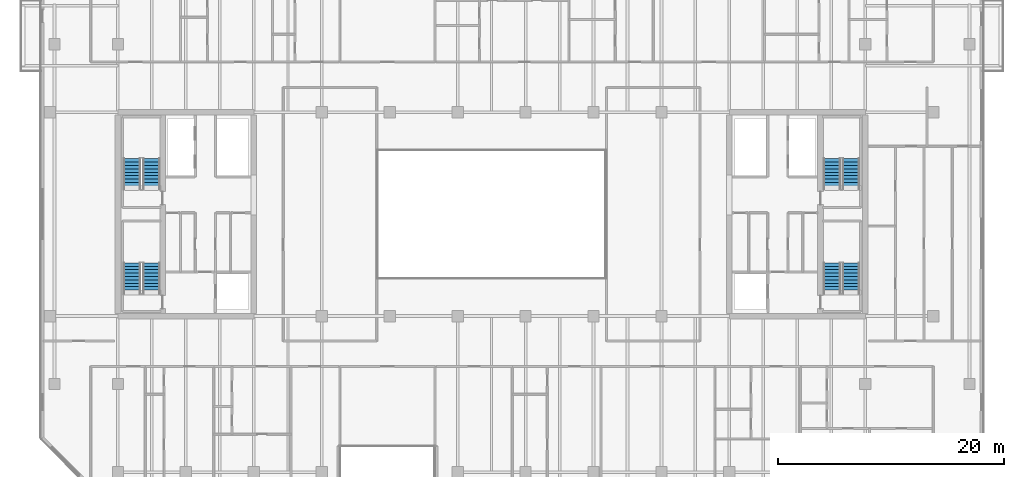
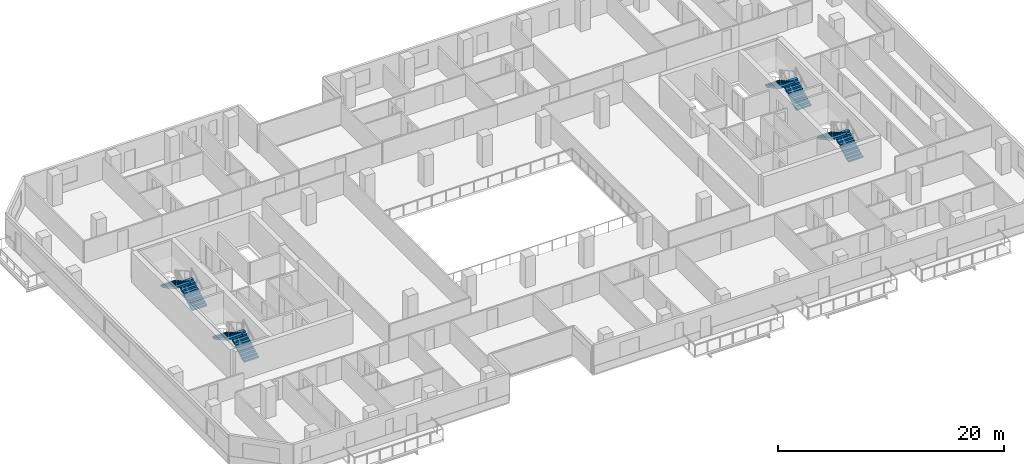
# One storey, part 17 of 23: 8 stair flights, 4 elements without a shape of their own.
"""IFC4 building model written with IfcOpenShell, lengths in metres."""

from ifc_helpers import new_model, si_unit, direction, frame, origin, place, context, subcontext, project, spatial, polyline, outline, extrude, material, type_object, element, aggregate, save


model = new_model("IFC4")

# Units and contexts
model_context = context("Model", 3, precision=1e-05, world=origin(), true_north=direction((0.0, 1.0)))
body_context = subcontext(model_context, "Body", "Model", "MODEL_VIEW")
ifc_project = project(units=[si_unit("LENGTHUNIT", "METRE"), si_unit("AREAUNIT", "SQUARE_METRE"), si_unit("VOLUMEUNIT", "CUBIC_METRE"), si_unit("PLANEANGLEUNIT", "RADIAN"), si_unit("MASSUNIT", "GRAM", prefix="KILO")], contexts=[model_context])

# Site, building, storey
site_placement = place(None, origin())
site = spatial("IfcSite", under=ifc_project, at=site_placement, CompositionType="ELEMENT")
building_placement = place(site_placement, origin())
building = spatial("IfcBuilding", under=site, at=building_placement, Name="Tanjung Sevakor Pilgrim Tower", CompositionType="ELEMENT")
storey_placement = place(building_placement, frame((0.0, 0.0, 85.469970703125)))
storey = spatial("IfcBuildingStorey", under=building, at=storey_placement, Name="L23", CompositionType="ELEMENT", Elevation=85.469970703125)

# Stair, stair flights
ifc_material_1 = material(Name="Concrete C40/50", Category="concrete")
stair_type = type_object("IfcStairType", Name="STAIR-ST-CR150", PredefinedType="HALF_TURN_STAIR", material=ifc_material_1)
stair_1_placement = place(storey_placement, origin())
stair_1 = element("IfcStair", 1, at=stair_1_placement, inside=storey, type_object=stair_type, Name="L23 West Core Exit Stair 1", PredefinedType="HALF_TURN_STAIR")
ifc_material_2 = material(Name="Concrete C40/50", Category="concrete")
stair_flight_type = type_object("IfcStairFlightType", Name="FLIGHT-ST-CR150", PredefinedType="STRAIGHT", material=ifc_material_2)
stair_flight_1_placement = place(storey_placement, frame((26.949951171875, 26.60009765625, 0.0), z_axis=(0.0, 0.0, 1.0), x_axis=(0.0, 1.0, 0.0)))
stair_flight_1 = element("IfcStairFlight", 2, at=stair_flight_1_placement, type_object=stair_flight_type, Name="TS-W1 flight 1", NumberOfRisers=10, NumberOfTreads=9, PredefinedType="STRAIGHT", RiserHeight=0.165, TreadLength=0.3, context=body_context, shape_type="SweptSolid", body=[
    extrude(outline(polyline([(0.0, 0.0), (0.0, 0.1650390625), (0.300048828125, 0.1650390625), (0.300048828125, 0.330078125), (0.60009765625, 0.330078125), (0.60009765625, 0.4951171875), (0.89990234375, 0.4951171875), (0.89990234375, 0.659912109375), (1.199951171875, 0.659912109375), (1.199951171875, 0.824951171875), (1.5, 0.824951171875), (1.5, 0.989990234375), (1.800048828125, 0.989990234375), (1.800048828125, 1.155029296875), (2.10009765625, 1.155029296875), (2.10009765625, 1.320068359375), (2.39990234375, 1.320068359375), (2.39990234375, 1.485107421875), (2.699951171875, 1.485107421875), (2.699951171875, 1.64990234375), (2.699951171875, 1.302490234375), (0.331787109375, 0.0), (0.0, 0.0)])), frame((0.0, 0.75, 0.0), z_axis=(0.0, -1.0, 0.0), x_axis=(1.0, 0.0, 0.0)), (0.0, 0.0, 1.0), 1.5),
])
stair_flight_2_placement = place(storey_placement, frame((25.25, 29.300048828125, 1.650146484375), z_axis=(0.0, 0.0, 1.0), x_axis=(0.0, -1.0, 0.0)))
stair_flight_2 = element("IfcStairFlight", 3, at=stair_flight_2_placement, type_object=stair_flight_type, Name="TS-W1 flight 2", NumberOfRisers=10, NumberOfTreads=9, PredefinedType="STRAIGHT", RiserHeight=0.165, TreadLength=0.3, context=body_context, shape_type="SweptSolid", body=[
    extrude(outline(polyline([(0.0, 0.0), (0.0, 0.1650390625), (0.300048828125, 0.1650390625), (0.300048828125, 0.330078125), (0.60009765625, 0.330078125), (0.60009765625, 0.4951171875), (0.89990234375, 0.4951171875), (0.89990234375, 0.659912109375), (1.199951171875, 0.659912109375), (1.199951171875, 0.824951171875), (1.5, 0.824951171875), (1.5, 0.989990234375), (1.800048828125, 0.989990234375), (1.800048828125, 1.155029296875), (2.10009765625, 1.155029296875), (2.10009765625, 1.320068359375), (2.39990234375, 1.320068359375), (2.39990234375, 1.485107421875), (2.699951171875, 1.485107421875), (2.699951171875, 1.64990234375), (2.699951171875, 1.302490234375), (0.331787109375, 0.0), (0.0, 0.0)])), frame((0.0, 0.75, 0.0), z_axis=(0.0, -1.0, 0.0), x_axis=(1.0, 0.0, 0.0)), (0.0, 0.0, 1.0), 1.5),
])
aggregate(stair_1, [stair_flight_1, stair_flight_2])

stair_2_placement = place(storey_placement, origin())
stair_2 = element("IfcStair", 4, at=stair_2_placement, inside=storey, type_object=stair_type, Name="L23 West Core Exit Stair 2", PredefinedType="HALF_TURN_STAIR")
stair_flight_3_placement = place(storey_placement, frame((26.949951171875, 35.800048828125, 0.0), z_axis=(0.0, 0.0, 1.0), x_axis=(0.0, 1.0, 0.0)))
stair_flight_3 = element("IfcStairFlight", 5, at=stair_flight_3_placement, type_object=stair_flight_type, Name="TS-W2 flight 1", NumberOfRisers=10, NumberOfTreads=9, PredefinedType="STRAIGHT", RiserHeight=0.165, TreadLength=0.3, context=body_context, shape_type="SweptSolid", body=[
    extrude(outline(polyline([(0.0, 0.0), (0.0, 0.1650390625), (0.300048828125, 0.1650390625), (0.300048828125, 0.330078125), (0.60009765625, 0.330078125), (0.60009765625, 0.4951171875), (0.89990234375, 0.4951171875), (0.89990234375, 0.659912109375), (1.199951171875, 0.659912109375), (1.199951171875, 0.824951171875), (1.5, 0.824951171875), (1.5, 0.989990234375), (1.800048828125, 0.989990234375), (1.800048828125, 1.155029296875), (2.10009765625, 1.155029296875), (2.10009765625, 1.320068359375), (2.39990234375, 1.320068359375), (2.39990234375, 1.485107421875), (2.699951171875, 1.485107421875), (2.699951171875, 1.64990234375), (2.699951171875, 1.302490234375), (0.331787109375, 0.0), (0.0, 0.0)])), frame((0.0, 0.75, 0.0), z_axis=(0.0, -1.0, 0.0), x_axis=(1.0, 0.0, 0.0)), (0.0, 0.0, 1.0), 1.5),
])
stair_flight_4_placement = place(storey_placement, frame((25.25, 38.5, 1.650146484375), z_axis=(0.0, 0.0, 1.0), x_axis=(0.0, -1.0, 0.0)))
stair_flight_4 = element("IfcStairFlight", 6, at=stair_flight_4_placement, type_object=stair_flight_type, Name="TS-W2 flight 2", NumberOfRisers=10, NumberOfTreads=9, PredefinedType="STRAIGHT", RiserHeight=0.165, TreadLength=0.3, context=body_context, shape_type="SweptSolid", body=[
    extrude(outline(polyline([(0.0, 0.0), (0.0, 0.1650390625), (0.300048828125, 0.1650390625), (0.300048828125, 0.330078125), (0.60009765625, 0.330078125), (0.60009765625, 0.4951171875), (0.89990234375, 0.4951171875), (0.89990234375, 0.659912109375), (1.199951171875, 0.659912109375), (1.199951171875, 0.824951171875), (1.5, 0.824951171875), (1.5, 0.989990234375), (1.800048828125, 0.989990234375), (1.800048828125, 1.155029296875), (2.10009765625, 1.155029296875), (2.10009765625, 1.320068359375), (2.39990234375, 1.320068359375), (2.39990234375, 1.485107421875), (2.699951171875, 1.485107421875), (2.699951171875, 1.64990234375), (2.699951171875, 1.302490234375), (0.331787109375, 0.0), (0.0, 0.0)])), frame((0.0, 0.75, 0.0), z_axis=(0.0, -1.0, 0.0), x_axis=(1.0, 0.0, 0.0)), (0.0, 0.0, 1.0), 1.5),
])
aggregate(stair_2, [stair_flight_3, stair_flight_4])

stair_3_placement = place(storey_placement, origin())
stair_3 = element("IfcStair", 7, at=stair_3_placement, inside=storey, type_object=stair_type, Name="L23 East Core Exit Stair 1", PredefinedType="HALF_TURN_STAIR")
stair_flight_5_placement = place(storey_placement, frame((88.75, 26.60009765625, 0.0), z_axis=(0.0, 0.0, 1.0), x_axis=(0.0, 1.0, 0.0)))
stair_flight_5 = element("IfcStairFlight", 8, at=stair_flight_5_placement, type_object=stair_flight_type, Name="TS-E1 flight 1", NumberOfRisers=10, NumberOfTreads=9, PredefinedType="STRAIGHT", RiserHeight=0.165, TreadLength=0.3, context=body_context, shape_type="SweptSolid", body=[
    extrude(outline(polyline([(0.0, 0.0), (0.0, 0.1650390625), (0.300048828125, 0.1650390625), (0.300048828125, 0.330078125), (0.60009765625, 0.330078125), (0.60009765625, 0.4951171875), (0.89990234375, 0.4951171875), (0.89990234375, 0.659912109375), (1.199951171875, 0.659912109375), (1.199951171875, 0.824951171875), (1.5, 0.824951171875), (1.5, 0.989990234375), (1.800048828125, 0.989990234375), (1.800048828125, 1.155029296875), (2.10009765625, 1.155029296875), (2.10009765625, 1.320068359375), (2.39990234375, 1.320068359375), (2.39990234375, 1.485107421875), (2.699951171875, 1.485107421875), (2.699951171875, 1.64990234375), (2.699951171875, 1.302490234375), (0.331787109375, 0.0), (0.0, 0.0)])), frame((0.0, 0.75, 0.0), z_axis=(0.0, -1.0, 0.0), x_axis=(1.0, 0.0, 0.0)), (0.0, 0.0, 1.0), 1.5),
])
stair_flight_6_placement = place(storey_placement, frame((87.050048828125, 29.300048828125, 1.650146484375), z_axis=(0.0, 0.0, 1.0), x_axis=(0.0, -1.0, 0.0)))
stair_flight_6 = element("IfcStairFlight", 9, at=stair_flight_6_placement, type_object=stair_flight_type, Name="TS-E1 flight 2", NumberOfRisers=10, NumberOfTreads=9, PredefinedType="STRAIGHT", RiserHeight=0.165, TreadLength=0.3, context=body_context, shape_type="SweptSolid", body=[
    extrude(outline(polyline([(0.0, 0.0), (0.0, 0.1650390625), (0.300048828125, 0.1650390625), (0.300048828125, 0.330078125), (0.60009765625, 0.330078125), (0.60009765625, 0.4951171875), (0.89990234375, 0.4951171875), (0.89990234375, 0.659912109375), (1.199951171875, 0.659912109375), (1.199951171875, 0.824951171875), (1.5, 0.824951171875), (1.5, 0.989990234375), (1.800048828125, 0.989990234375), (1.800048828125, 1.155029296875), (2.10009765625, 1.155029296875), (2.10009765625, 1.320068359375), (2.39990234375, 1.320068359375), (2.39990234375, 1.485107421875), (2.699951171875, 1.485107421875), (2.699951171875, 1.64990234375), (2.699951171875, 1.302490234375), (0.331787109375, 0.0), (0.0, 0.0)])), frame((0.0, 0.75, 0.0), z_axis=(0.0, -1.0, 0.0), x_axis=(1.0, 0.0, 0.0)), (0.0, 0.0, 1.0), 1.5),
])
aggregate(stair_3, [stair_flight_5, stair_flight_6])

stair_4_placement = place(storey_placement, origin())
stair_4 = element("IfcStair", 10, at=stair_4_placement, inside=storey, type_object=stair_type, Name="L23 East Core Exit Stair 2", PredefinedType="HALF_TURN_STAIR")
stair_flight_7_placement = place(storey_placement, frame((88.75, 35.800048828125, 0.0), z_axis=(0.0, 0.0, 1.0), x_axis=(0.0, 1.0, 0.0)))
stair_flight_7 = element("IfcStairFlight", 11, at=stair_flight_7_placement, type_object=stair_flight_type, Name="TS-E2 flight 1", NumberOfRisers=10, NumberOfTreads=9, PredefinedType="STRAIGHT", RiserHeight=0.165, TreadLength=0.3, context=body_context, shape_type="SweptSolid", body=[
    extrude(outline(polyline([(0.0, 0.0), (0.0, 0.1650390625), (0.300048828125, 0.1650390625), (0.300048828125, 0.330078125), (0.60009765625, 0.330078125), (0.60009765625, 0.4951171875), (0.89990234375, 0.4951171875), (0.89990234375, 0.659912109375), (1.199951171875, 0.659912109375), (1.199951171875, 0.824951171875), (1.5, 0.824951171875), (1.5, 0.989990234375), (1.800048828125, 0.989990234375), (1.800048828125, 1.155029296875), (2.10009765625, 1.155029296875), (2.10009765625, 1.320068359375), (2.39990234375, 1.320068359375), (2.39990234375, 1.485107421875), (2.699951171875, 1.485107421875), (2.699951171875, 1.64990234375), (2.699951171875, 1.302490234375), (0.331787109375, 0.0), (0.0, 0.0)])), frame((0.0, 0.75, 0.0), z_axis=(0.0, -1.0, 0.0), x_axis=(1.0, 0.0, 0.0)), (0.0, 0.0, 1.0), 1.5),
])
stair_flight_8_placement = place(storey_placement, frame((87.050048828125, 38.5, 1.650146484375), z_axis=(0.0, 0.0, 1.0), x_axis=(0.0, -1.0, 0.0)))
stair_flight_8 = element("IfcStairFlight", 12, at=stair_flight_8_placement, type_object=stair_flight_type, Name="TS-E2 flight 2", NumberOfRisers=10, NumberOfTreads=9, PredefinedType="STRAIGHT", RiserHeight=0.165, TreadLength=0.3, context=body_context, shape_type="SweptSolid", body=[
    extrude(outline(polyline([(0.0, 0.0), (0.0, 0.1650390625), (0.300048828125, 0.1650390625), (0.300048828125, 0.330078125), (0.60009765625, 0.330078125), (0.60009765625, 0.4951171875), (0.89990234375, 0.4951171875), (0.89990234375, 0.659912109375), (1.199951171875, 0.659912109375), (1.199951171875, 0.824951171875), (1.5, 0.824951171875), (1.5, 0.989990234375), (1.800048828125, 0.989990234375), (1.800048828125, 1.155029296875), (2.10009765625, 1.155029296875), (2.10009765625, 1.320068359375), (2.39990234375, 1.320068359375), (2.39990234375, 1.485107421875), (2.699951171875, 1.485107421875), (2.699951171875, 1.64990234375), (2.699951171875, 1.302490234375), (0.331787109375, 0.0), (0.0, 0.0)])), frame((0.0, 0.75, 0.0), z_axis=(0.0, -1.0, 0.0), x_axis=(1.0, 0.0, 0.0)), (0.0, 0.0, 1.0), 1.5),
])
aggregate(stair_4, [stair_flight_7, stair_flight_8])

save(model, "model.ifc")
